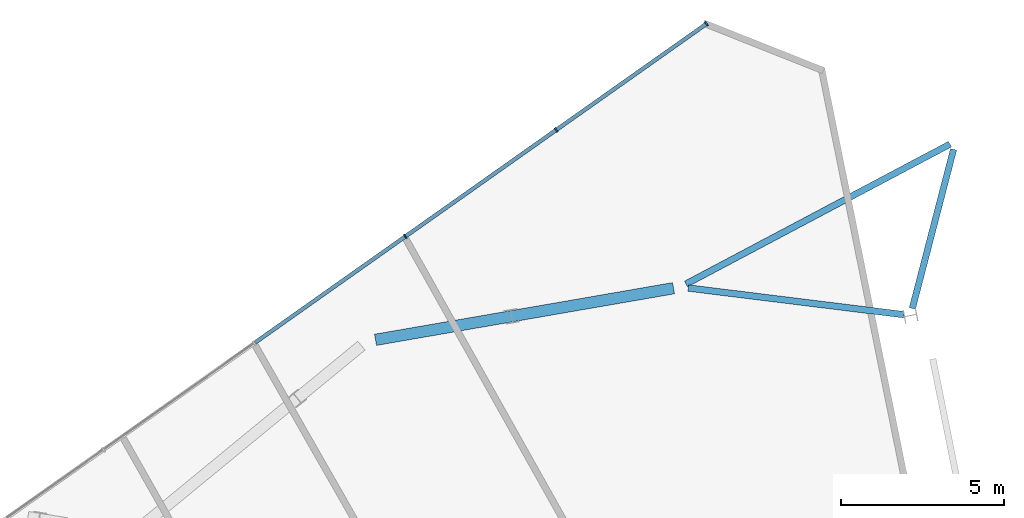
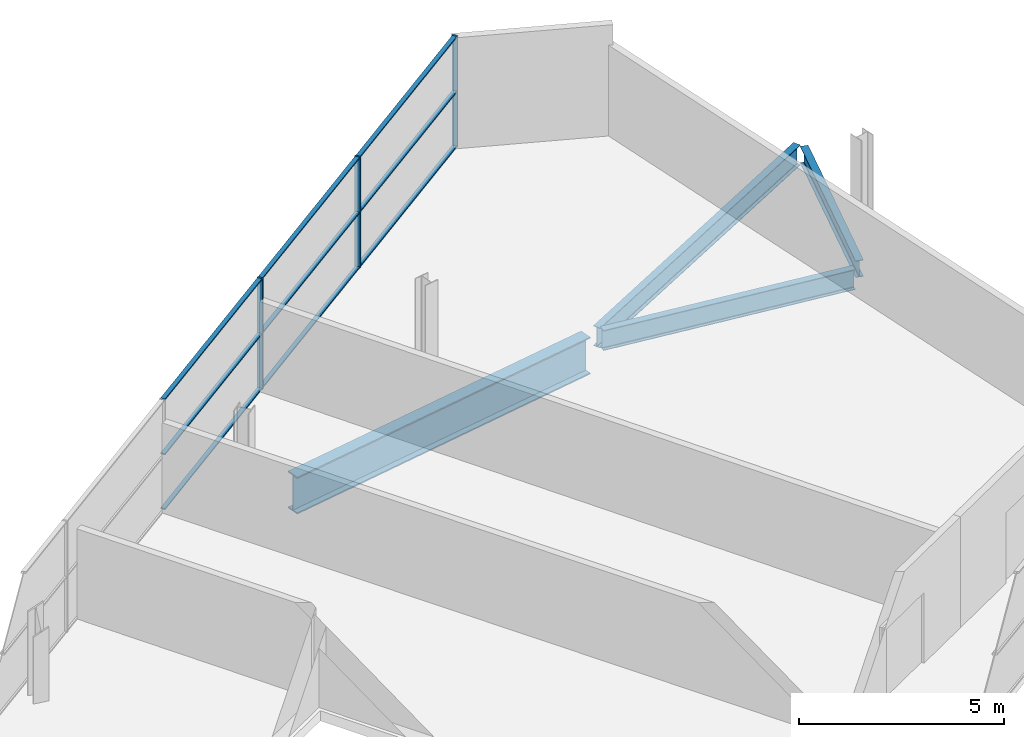
# One storey, part 8 of 11: 12 members, 4 beams, 1 element without a shape of its own.
"""IFC4 building model written with IfcOpenShell, lengths in metres."""

from ifc_helpers import new_model, si_unit, direction, frame, origin, origin_2d, place, context, subcontext, project, spatial, rectangle, i_section, extrude, material, material_profile, profile_set, type_object, element, aggregate, save


model = new_model("IFC4")

# Units and contexts
model_context = context("Model", 3, precision=1e-05, world=origin(), true_north=direction((0.0, 1.0)))
body_context = subcontext(model_context, "Body", "Model", "MODEL_VIEW")
ifc_project = project(units=[si_unit("LENGTHUNIT", "METRE"), si_unit("AREAUNIT", "SQUARE_METRE"), si_unit("VOLUMEUNIT", "CUBIC_METRE"), si_unit("PLANEANGLEUNIT", "RADIAN"), si_unit("MASSUNIT", "GRAM", prefix="KILO")], contexts=[model_context])

# Site, building, storey
site_placement = place(None, origin())
site = spatial("IfcSite", under=ifc_project, at=site_placement, CompositionType="ELEMENT")
building_placement = place(site_placement, origin())
building = spatial("IfcBuilding", under=site, at=building_placement, Name="Binnacle Exchange Tower", CompositionType="ELEMENT")
storey_placement = place(building_placement, frame((0.0, 0.0, 361.300048828125)))
storey = spatial("IfcBuildingStorey", under=building, at=storey_placement, Name="L83", CompositionType="ELEMENT", Elevation=361.300048828125)

# Curtain wall, members
ifc_material_1 = material(Name="Bronze anodised aluminium frame", Category="aluminium")
curtain_wall_type = type_object("IfcCurtainWallType", Name="External wall - curtain wall crown top", PredefinedType="NOTDEFINED", material=ifc_material_1)
curtain_wall_placement = place(storey_placement, origin())
curtain_wall = element("IfcCurtainWall", 1, at=curtain_wall_placement, inside=storey, type_object=curtain_wall_type, Name="External wall curtain wall CW6-C303 L83", PredefinedType="NOTDEFINED")
ifc_material_profile_1 = material_profile(ifc_material_1, rectangle(XDim=0.14990234375, YDim=0.050048828125, at=origin_2d()), Name="AL 50x150")
ifc_profile_set_1 = profile_set([ifc_material_profile_1], Name="Bronze anodised aluminium frame")
member_type_1 = type_object("IfcMemberType", Name="CW6 MULLION 50x150", PredefinedType="MULLION", material=ifc_profile_set_1)
member_1_placement = place(storey_placement, frame((-17.152587890625, 68.55322265625, 0.0), z_axis=(0.0, 0.0, 1.0), x_axis=(0.576854127285, -0.816847180221, 0.0)))
member_1 = element("IfcMember", 2, at=member_1_placement, type_object=member_type_1, Name="CW6-C303 mullion 1", PredefinedType="MULLION", context=body_context, shape_type="SweptSolid", body=[
    extrude(rectangle(XDim=0.14990234375, YDim=0.050048828125, at=origin_2d()), origin(), (0.0, 0.0, 1.0), 3.300048828125),
])
member_2_placement = place(storey_placement, frame((-21.771728515625, 65.291259765625, 0.0), z_axis=(0.0, 0.0, 1.0), x_axis=(0.576854127285, -0.816847180221, 0.0)))
member_2 = element("IfcMember", 3, at=member_2_placement, type_object=member_type_1, Name="CW6-C303 mullion 2", PredefinedType="MULLION", context=body_context, shape_type="SweptSolid", body=[
    extrude(rectangle(XDim=0.14990234375, YDim=0.050048828125, at=origin_2d()), origin(), (0.0, 0.0, 1.0), 3.300048828125),
])
member_3_placement = place(storey_placement, frame((-26.411376953125, 62.014892578125, 0.0), z_axis=(0.0, 0.0, 1.0), x_axis=(0.576854127285, -0.816847180221, 0.0)))
member_3 = element("IfcMember", 4, at=member_3_placement, type_object=member_type_1, Name="CW6-C303 mullion 3", PredefinedType="MULLION", context=body_context, shape_type="SweptSolid", body=[
    extrude(rectangle(XDim=0.14990234375, YDim=0.050048828125, at=origin_2d()), origin(), (0.0, 0.0, 1.0), 3.300048828125),
])
ifc_material_profile_2 = material_profile(ifc_material_1, rectangle(XDim=0.1201171875, YDim=0.0400390625, at=origin_2d()), Name="AL 120x40")
ifc_profile_set_2 = profile_set([ifc_material_profile_2], Name="Bronze anodised aluminium frame")
member_type_2 = type_object("IfcMemberType", Name="CW6 TRANSOM 40x120", PredefinedType="USERDEFINED", material=ifc_profile_set_2)
member_4_placement = place(storey_placement, frame((-17.173095703125, 68.538818359375, 0.02001953125), z_axis=(-0.816853166447, -0.57684565047, 0.0), x_axis=(0.57684565047, -0.816853166447, 0.0)))
member_4 = element("IfcMember", 5, at=member_4_placement, type_object=member_type_2, Name="CW6-C303 transom 1.1", ObjectType="TRANSOM", PredefinedType="USERDEFINED", context=body_context, shape_type="SweptSolid", body=[
    extrude(rectangle(XDim=0.1201171875, YDim=0.0400390625, at=origin_2d()), origin(), (0.0, 0.0, 1.0), 5.60498046875),
])
member_5_placement = place(storey_placement, frame((-17.173095703125, 68.538818359375, 1.64990234375), z_axis=(-0.816853166447, -0.57684565047, 0.0), x_axis=(0.57684565047, -0.816853166447, 0.0)))
member_5 = element("IfcMember", 6, at=member_5_placement, type_object=member_type_2, Name="CW6-C303 transom 1.2", ObjectType="TRANSOM", PredefinedType="USERDEFINED", context=body_context, shape_type="SweptSolid", body=[
    extrude(rectangle(XDim=0.1201171875, YDim=0.0400390625, at=origin_2d()), origin(), (0.0, 0.0, 1.0), 5.60498046875),
])
member_6_placement = place(storey_placement, frame((-17.173095703125, 68.538818359375, 3.280029296875), z_axis=(-0.816853166447, -0.57684565047, 0.0), x_axis=(0.57684565047, -0.816853166447, 0.0)))
member_6 = element("IfcMember", 7, at=member_6_placement, type_object=member_type_2, Name="CW6-C303 transom 1.3", ObjectType="TRANSOM", PredefinedType="USERDEFINED", context=body_context, shape_type="SweptSolid", body=[
    extrude(rectangle(XDim=0.1201171875, YDim=0.0400390625, at=origin_2d()), origin(), (0.0, 0.0, 1.0), 5.60498046875),
])
member_7_placement = place(storey_placement, frame((-21.792236328125, 65.27685546875, 0.02001953125), z_axis=(-0.816845257746, -0.576856849572, 0.0), x_axis=(0.576856849572, -0.816845257746, 0.0)))
member_7 = element("IfcMember", 8, at=member_7_placement, type_object=member_type_2, Name="CW6-C303 transom 2.1", ObjectType="TRANSOM", PredefinedType="USERDEFINED", context=body_context, shape_type="SweptSolid", body=[
    extrude(rectangle(XDim=0.1201171875, YDim=0.0400390625, at=origin_2d()), origin(), (0.0, 0.0, 1.0), 5.629638671875),
])
member_8_placement = place(storey_placement, frame((-21.792236328125, 65.27685546875, 1.64990234375), z_axis=(-0.816845257746, -0.576856849572, 0.0), x_axis=(0.576856849572, -0.816845257746, 0.0)))
member_8 = element("IfcMember", 9, at=member_8_placement, type_object=member_type_2, Name="CW6-C303 transom 2.2", ObjectType="TRANSOM", PredefinedType="USERDEFINED", context=body_context, shape_type="SweptSolid", body=[
    extrude(rectangle(XDim=0.1201171875, YDim=0.0400390625, at=origin_2d()), origin(), (0.0, 0.0, 1.0), 5.629638671875),
])
member_9_placement = place(storey_placement, frame((-21.792236328125, 65.27685546875, 3.280029296875), z_axis=(-0.816845257746, -0.576856849572, 0.0), x_axis=(0.576856849572, -0.816845257746, 0.0)))
member_9 = element("IfcMember", 10, at=member_9_placement, type_object=member_type_2, Name="CW6-C303 transom 2.3", ObjectType="TRANSOM", PredefinedType="USERDEFINED", context=body_context, shape_type="SweptSolid", body=[
    extrude(rectangle(XDim=0.1201171875, YDim=0.0400390625, at=origin_2d()), origin(), (0.0, 0.0, 1.0), 5.629638671875),
])
member_10_placement = place(storey_placement, frame((-26.431640625, 62.00048828125, 0.02001953125), z_axis=(-0.816859687673, -0.576836415853, 0.0), x_axis=(0.576836415853, -0.816859687673, 0.0)))
member_10 = element("IfcMember", 11, at=member_10_placement, type_object=member_type_2, Name="CW6-C303 transom 3.1", ObjectType="TRANSOM", PredefinedType="USERDEFINED", context=body_context, shape_type="SweptSolid", body=[
    extrude(rectangle(XDim=0.1201171875, YDim=0.0400390625, at=origin_2d()), origin(), (0.0, 0.0, 1.0), 5.6298828125),
])
member_11_placement = place(storey_placement, frame((-26.431640625, 62.00048828125, 1.64990234375), z_axis=(-0.816859687673, -0.576836415853, 0.0), x_axis=(0.576836415853, -0.816859687673, 0.0)))
member_11 = element("IfcMember", 12, at=member_11_placement, type_object=member_type_2, Name="CW6-C303 transom 3.2", ObjectType="TRANSOM", PredefinedType="USERDEFINED", context=body_context, shape_type="SweptSolid", body=[
    extrude(rectangle(XDim=0.1201171875, YDim=0.0400390625, at=origin_2d()), origin(), (0.0, 0.0, 1.0), 5.6298828125),
])
member_12_placement = place(storey_placement, frame((-26.431640625, 62.00048828125, 3.280029296875), z_axis=(-0.816859687673, -0.576836415853, 0.0), x_axis=(0.576836415853, -0.816859687673, 0.0)))
member_12 = element("IfcMember", 13, at=member_12_placement, type_object=member_type_2, Name="CW6-C303 transom 3.3", ObjectType="TRANSOM", PredefinedType="USERDEFINED", context=body_context, shape_type="SweptSolid", body=[
    extrude(rectangle(XDim=0.1201171875, YDim=0.0400390625, at=origin_2d()), origin(), (0.0, 0.0, 1.0), 5.6298828125),
])
aggregate(curtain_wall, [member_1, member_2, member_3, member_4, member_5, member_6, member_7, member_8, member_9, member_10, member_11, member_12])

# Beams
ifc_material_2 = material(Name="Steel S355 (SHN355)", Category="steel")
ifc_material_profile_3 = material_profile(ifc_material_2, i_section(OverallWidth=0.199951171875, OverallDepth=0.5, WebThickness=0.010009765625, FlangeThickness=0.01611328125, FilletRadius=0.02001953125, at=origin_2d()), Name="H 500x200x10x16")
ifc_profile_set_3 = profile_set([ifc_material_profile_3], Name="Steel S355 (SHN355)")
beam_type_1 = type_object("IfcBeamType", Name="Spine girder H 500x200x10x16 Steel S355 (SHN355)", PredefinedType="BEAM", material=ifc_profile_set_3)
beam_1_placement = place(storey_placement, frame((-9.55859375, 64.691650390625, -0.550048828125), z_axis=(-0.250999061512, -0.967987330041, 0.0), x_axis=(0.967987330041, -0.250999061512, 0.0)))
element("IfcBeam", 14, at=beam_1_placement, inside=storey, type_object=beam_type_1, Name="S:BM:spine:L83:010", PredefinedType="BEAM", context=body_context, shape_type="SweptSolid", body=[
    extrude(i_section(OverallWidth=0.199951171875, OverallDepth=0.5, WebThickness=0.010009765625, FlangeThickness=0.01611328125, FilletRadius=0.02001953125, at=origin_2d()), origin(), (0.0, 0.0, 1.0), 5.051025390625),
])
ifc_material_profile_4 = material_profile(ifc_material_2, i_section(OverallWidth=0.199951171875, OverallDepth=0.60009765625, WebThickness=0.010986328125, FlangeThickness=0.01708984375, FilletRadius=0.02197265625, at=origin_2d()), Name="H 600x200x11x17")
ifc_profile_set_4 = profile_set([ifc_material_profile_4], Name="Steel S355 (SHN355)")
beam_type_2 = type_object("IfcBeamType", Name="Spine girder H 600x200x11x17 Steel S355 (SHN355)", PredefinedType="BEAM", material=ifc_profile_set_4)
beam_2_placement = place(storey_placement, frame((-17.7099609375, 60.43115234375, -0.60009765625), z_axis=(0.992442022027, -0.122714436454, 0.0), x_axis=(0.122714436454, 0.992442022027, 0.0)))
element("IfcBeam", 15, at=beam_2_placement, inside=storey, type_object=beam_type_2, Name="S:BM:spine:L83:008", PredefinedType="BEAM", context=body_context, shape_type="SweptSolid", body=[
    extrude(i_section(OverallWidth=0.199951171875, OverallDepth=0.60009765625, WebThickness=0.010986328125, FlangeThickness=0.01708984375, FilletRadius=0.02197265625, at=origin_2d()), origin(), (0.0, 0.0, 1.0), 6.668701171875),
])
beam_3_placement = place(storey_placement, frame((-9.669189453125, 64.853271484375, -0.60009765625), z_axis=(-0.883619006296, -0.468206633562, 0.0), x_axis=(0.468206633562, -0.883619006296, 0.0)))
element("IfcBeam", 16, at=beam_3_placement, inside=storey, type_object=beam_type_2, Name="S:BM:spine:L83:009", PredefinedType="BEAM", context=body_context, shape_type="SweptSolid", body=[
    extrude(i_section(OverallWidth=0.199951171875, OverallDepth=0.60009765625, WebThickness=0.010986328125, FlangeThickness=0.01708984375, FilletRadius=0.02197265625, at=origin_2d()), origin(), (0.0, 0.0, 1.0), 9.179443359375),
])
ifc_material_3 = material(Name="Steel S355 (SM355)", Category="steel")
ifc_material_profile_5 = material_profile(ifc_material_3, i_section(OverallWidth=0.35009765625, OverallDepth=1.10009765625, WebThickness=0.02001953125, FlangeThickness=0.035888671875, at=origin_2d()), Name="BH 1100x350x20x36")
ifc_profile_set_5 = profile_set([ifc_material_profile_5], Name="Steel S355 (SM355)")
beam_type_3 = type_object("IfcBeamType", Name="Transfer girder BH 1100x350x20x36 Steel S355 (SM355)", PredefinedType="BEAM", material=ifc_profile_set_5)
beam_4_placement = place(storey_placement, frame((-27.32568359375, 58.83984375, -0.85009765625), z_axis=(0.985347535089, 0.170558597246, 0.0), x_axis=(-0.170558597246, 0.985347535089, 0.0)))
element("IfcBeam", 17, at=beam_4_placement, inside=storey, type_object=beam_type_3, Name="S:BM:transfer:L83:005", PredefinedType="BEAM", context=body_context, shape_type="SweptSolid", body=[
    extrude(i_section(OverallWidth=0.35009765625, OverallDepth=1.10009765625, WebThickness=0.02001953125, FlangeThickness=0.035888671875, at=origin_2d()), origin(), (0.0, 0.0, 1.0), 9.295654296875),
])

save(model, "model.ifc")
